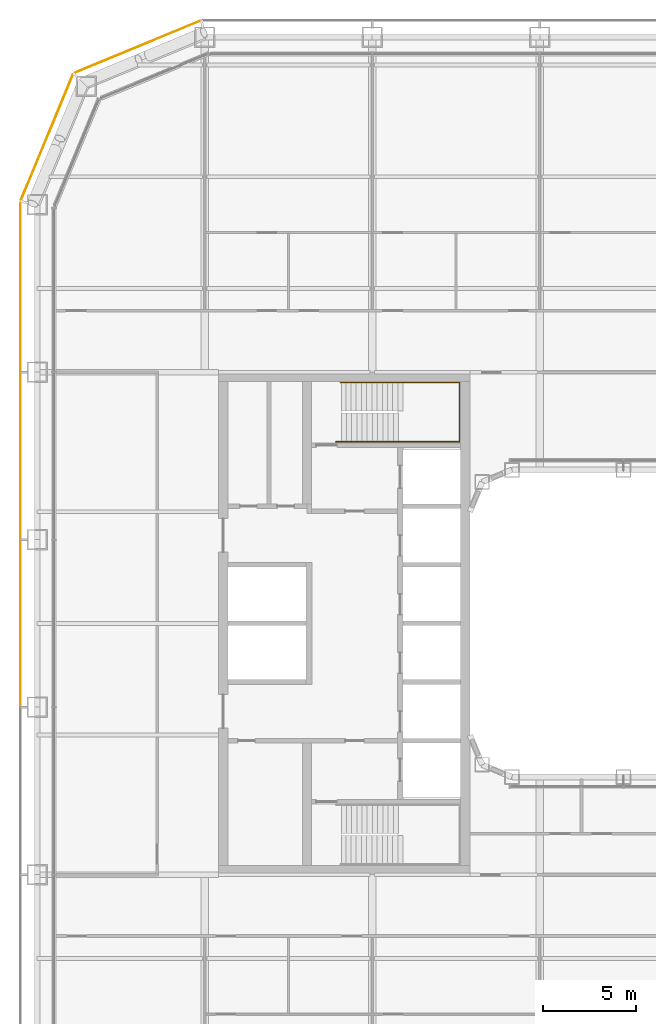
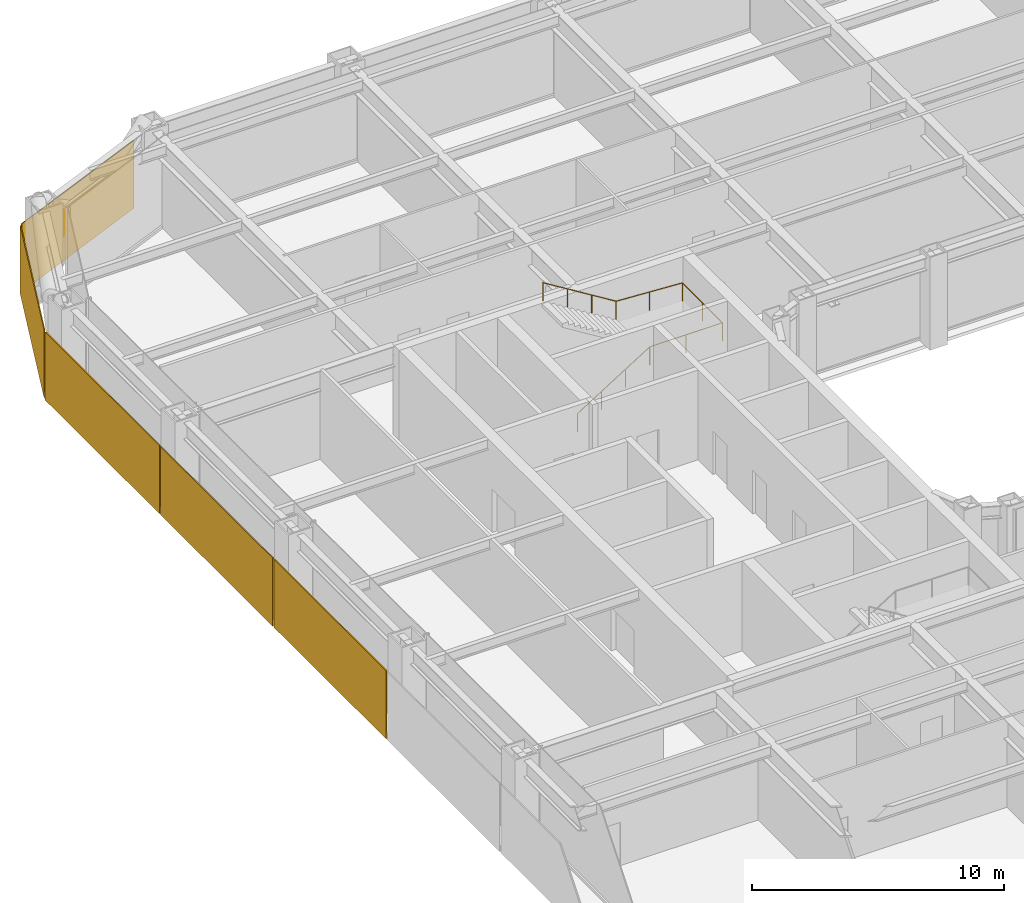
# One storey, part 22 of 24: 5 coverings, 1 railing.
"""IFC4 building model written with IfcOpenShell, lengths in metres."""

from ifc_helpers import new_model, si_unit, direction, frame, origin, origin_2d, place, context, subcontext, project, spatial, rectangle, circle, extrude, material, layer, layer_set, type_object, element, save


model = new_model("IFC4")

# Units and contexts
model_context = context("Model", 3, precision=1e-05, world=origin(), true_north=direction((0.0, 1.0)))
body_context = subcontext(model_context, "Body", "Model", "MODEL_VIEW")
ifc_project = project(units=[si_unit("LENGTHUNIT", "METRE"), si_unit("AREAUNIT", "SQUARE_METRE"), si_unit("VOLUMEUNIT", "CUBIC_METRE"), si_unit("PLANEANGLEUNIT", "RADIAN"), si_unit("MASSUNIT", "GRAM", prefix="KILO")], contexts=[model_context])

# Site, building, storey
site_placement = place(None, origin())
site = spatial("IfcSite", under=ifc_project, at=site_placement, CompositionType="ELEMENT")
building_placement = place(site_placement, origin())
building = spatial("IfcBuilding", under=site, at=building_placement, Name="Siwar Civic Tower", CompositionType="ELEMENT")
storey_placement = place(building_placement, frame((0.0, 0.0, 40.199951171875)))
storey = spatial("IfcBuildingStorey", under=building, at=storey_placement, Name="L08", CompositionType="ELEMENT", Elevation=40.199951171875)

# Railing
ifc_material_1 = material(Name="Stainless steel", Category="steel")
railing_type = type_object("IfcRailingType", Name="CORE-STAIR-HANDRAIL", PredefinedType="HANDRAIL", material=ifc_material_1)
railing_placement = place(storey_placement, frame((-15.449951171875, 9.758056640625, 0.173095703125)))
element("IfcRailing", 1, at=railing_placement, inside=storey, type_object=railing_type, Name="Stair handrail ST1", PredefinedType="HANDRAIL", context=body_context, shape_type="SweptSolid", body=[
    extrude(circle(Radius=0.02001953125, at=origin_2d()), frame((0.0, 0.0, 0.8798828125), z_axis=(0.847063342986, 0.0, 0.531491950051), x_axis=(0.0, 1.0, 0.0)), (0.0, 0.0, 1.0), 3.90771484375),
    extrude(circle(Radius=0.02001953125, at=origin_2d()), frame((3.31005859375, 0.0, 2.956787109375), z_axis=(1.0, 0.0, 0.0), x_axis=(0.0, 1.0, 0.0)), (0.0, 0.0, 1.0), 3.331787109375),
    extrude(circle(Radius=0.02001953125, at=origin_2d()), frame((6.641845703125, 0.0, 2.956787109375), z_axis=(0.0, 1.0, 0.0), x_axis=(-1.0, 0.0, 0.0)), (0.0, 0.0, 1.0), 3.183837890625),
    extrude(circle(Radius=0.02001953125, at=origin_2d()), frame((6.641845703125, 3.183837890625, 2.956787109375), z_axis=(-0.99837434197, 0.0, 0.056997134106), x_axis=(0.0, -1.0, 0.0)), (0.0, 0.0, 1.0), 3.036865234375),
    extrude(circle(Radius=0.02001953125, at=origin_2d()), frame((3.60986328125, 3.183837890625, 3.1298828125), z_axis=(-0.850606129759, 0.0, 0.525803396734), x_axis=(0.0, -1.0, 0.0)), (0.0, 0.0, 1.0), 3.949951171875),
    extrude(circle(Radius=0.02001953125, at=origin_2d()), origin(), (0.0, 0.0, 1.0), 0.85986328125),
    extrude(circle(Radius=0.02001953125, at=origin_2d()), frame((1.103271484375, 0.0, 0.6923828125)), (0.0, 0.0, 1.0), 0.85986328125),
    extrude(circle(Radius=0.02001953125, at=origin_2d()), frame((2.206787109375, 0.0, 1.384521484375)), (0.0, 0.0, 1.0), 0.85986328125),
    extrude(circle(Radius=0.02001953125, at=origin_2d()), frame((3.31005859375, 0.0, 2.076904296875)), (0.0, 0.0, 1.0), 0.85986328125),
    extrude(circle(Radius=0.02001953125, at=origin_2d()), frame((4.97607421875, 0.0, 2.076904296875)), (0.0, 0.0, 1.0), 0.85986328125),
    extrude(circle(Radius=0.02001953125, at=origin_2d()), frame((6.641845703125, 0.0, 2.076904296875)), (0.0, 0.0, 1.0), 0.85986328125),
    extrude(circle(Radius=0.02001953125, at=origin_2d()), frame((6.641845703125, 1.591796875, 2.076904296875)), (0.0, 0.0, 1.0), 0.85986328125),
    extrude(circle(Radius=0.02001953125, at=origin_2d()), frame((6.641845703125, 3.183837890625, 2.076904296875)), (0.0, 0.0, 1.0), 0.85986328125),
    extrude(circle(Radius=0.02001953125, at=origin_2d()), frame((5.1259765625, 3.183837890625, 2.16357421875)), (0.0, 0.0, 1.0), 0.85986328125),
    extrude(circle(Radius=0.02001953125, at=origin_2d()), frame((3.60986328125, 3.183837890625, 2.25)), (0.0, 0.0, 1.0), 0.85986328125),
    extrude(circle(Radius=0.02001953125, at=origin_2d()), frame((2.489990234375, 3.183837890625, 2.9423828125)), (0.0, 0.0, 1.0), 0.85986328125),
    extrude(circle(Radius=0.02001953125, at=origin_2d()), frame((1.369873046875, 3.183837890625, 3.634521484375)), (0.0, 0.0, 1.0), 0.85986328125),
    extrude(circle(Radius=0.02001953125, at=origin_2d()), frame((0.25, 3.183837890625, 4.326904296875)), (0.0, 0.0, 1.0), 0.85986328125),
])

# Coverings
ifc_material_2 = material(Name="Perforated aluminium cassette, pale metal", Category="aluminium")
ifc_layer_1 = layer(ifc_material_2, 0.0400390625)
ifc_layer_set_1 = layer_set([ifc_layer_1], Name="Perforated aluminium cassette, pale metal")
covering_type_1 = type_object("IfcCoveringType", Name="ENV-OUTER SKIN OS-1", PredefinedType="CLADDING", material=ifc_layer_set_1)
covering_1_placement = place(storey_placement, frame((-26.115966796875, 30.976318359375, -0.14990234375), z_axis=(0.0, 0.0, 1.0), x_axis=(-0.923879532511, -0.382683432365, 0.0)))
element("IfcCovering", 2, at=covering_1_placement, inside=storey, type_object=covering_type_1, Name="OUTER SKIN OS-1 NW1 1", PredefinedType="CLADDING", context=body_context, shape_type="SweptSolid", body=[
    extrude(rectangle(XDim=7.300048828125, YDim=0.0400390625, at=origin_2d()), origin(), (0.0, 0.0, 1.0), 3.300048828125),
])
ifc_material_3 = material(Name="Perforated aluminium cassette, pale metal", Category="aluminium")
ifc_layer_2 = layer(ifc_material_3, 0.044921875)
ifc_layer_set_2 = layer_set([ifc_layer_2], Name="Perforated aluminium cassette, pale metal")
covering_type_2 = type_object("IfcCoveringType", Name="ENV-OUTER SKIN OS-2", PredefinedType="CLADDING", material=ifc_layer_set_2)
covering_2_placement = place(storey_placement, frame((-30.976318359375, 26.115966796875, -0.14990234375), z_axis=(0.0, 0.0, 1.0), x_axis=(-0.382683432365, -0.923879532511, 0.0)))
element("IfcCovering", 3, at=covering_2_placement, inside=storey, type_object=covering_type_2, Name="OUTER SKIN OS-2 NW2 1", PredefinedType="CLADDING", context=body_context, shape_type="SweptSolid", body=[
    extrude(rectangle(XDim=7.300048828125, YDim=0.044921875, at=origin_2d()), origin(), (0.0, 0.0, 1.0), 3.300048828125),
])
ifc_material_4 = material(Name="Perforated aluminium cassette, pale metal", Category="aluminium")
ifc_layer_3 = layer(ifc_material_4, 0.050048828125)
ifc_layer_set_3 = layer_set([ifc_layer_3], Name="Perforated aluminium cassette, pale metal")
covering_type_3 = type_object("IfcCoveringType", Name="ENV-OUTER SKIN OS-3", PredefinedType="CLADDING", material=ifc_layer_set_3)
covering_3_placement = place(storey_placement, frame((-32.39990234375, 18.07958984375, -0.14990234375), z_axis=(0.0, 0.0, 1.0), x_axis=(0.0, -1.0, 0.0)))
element("IfcCovering", 4, at=covering_3_placement, inside=storey, type_object=covering_type_3, Name="OUTER SKIN OS-3 W 1", PredefinedType="CLADDING", context=body_context, shape_type="SweptSolid", body=[
    extrude(rectangle(XDim=9.05908203125, YDim=0.050048828125, at=origin_2d()), origin(), (0.0, 0.0, 1.0), 3.300048828125),
])
for number, where, z_axis, x_axis, name in (
    (5, (-32.39990234375, 9.0, -0.14990234375), (0.0, 0.0, 1.0), (0.0, -1.0, 0.0), "OUTER SKIN OS-3 W 2"),
    (6, (-32.39990234375, 0.0, -0.14990234375), (0.0, 0.0, 1.0), (0.0, -1.0, 0.0), "OUTER SKIN OS-3 W 3"),
):
    element("IfcCovering", number, at=place(storey_placement, frame(where, z_axis=z_axis, x_axis=x_axis)), inside=storey, type_object=covering_type_3, Name=name, PredefinedType="CLADDING", context=body_context, shape_type="SweptSolid", body=[
        extrude(rectangle(XDim=8.89990234375, YDim=0.050048828125, at=origin_2d()), origin(), (0.0, 0.0, 1.0), 3.300048828125),
    ])

save(model, "model.ifc")
